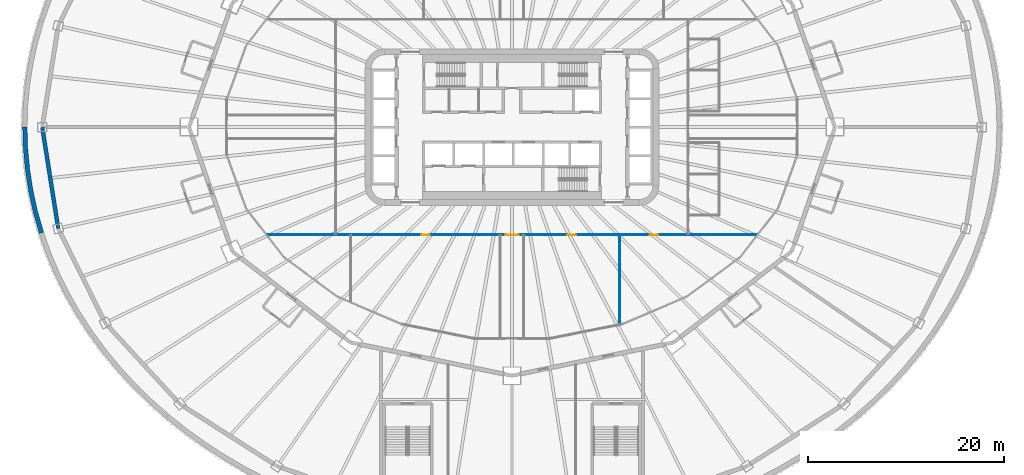
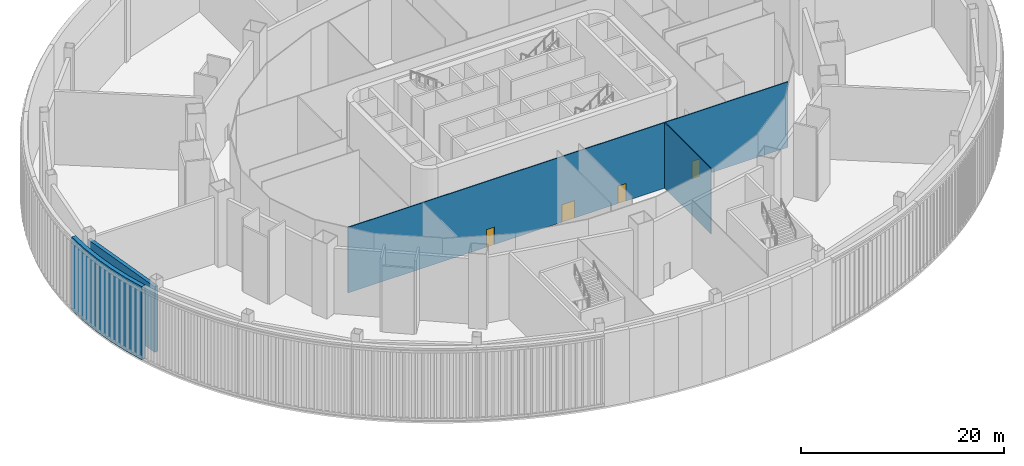
# One storey, part 7 of 35: 4 doors, 4 walls, 4 openings.
"""IFC4 building model written with IfcOpenShell, lengths in metres."""

from ifc_helpers import new_model, si_unit, direction, frame, frame_2d, origin, place, context, subcontext, project, spatial, polyline, rectangle, outline, extrude, material, layer, layer_set, type_object, element, fill, save


model = new_model("IFC4")

# Units and contexts
model_context = context("Model", 3, precision=1e-05, world=origin(), true_north=direction((0.0, 1.0)))
body_context = subcontext(model_context, "Body", "Model", "MODEL_VIEW")
ifc_project = project(units=[si_unit("LENGTHUNIT", "METRE"), si_unit("AREAUNIT", "SQUARE_METRE"), si_unit("VOLUMEUNIT", "CUBIC_METRE"), si_unit("PLANEANGLEUNIT", "RADIAN"), si_unit("MASSUNIT", "GRAM", prefix="KILO")], contexts=[model_context])

# Site, building, storey
site_placement = place(None, origin())
site = spatial("IfcSite", under=ifc_project, at=site_placement, CompositionType="ELEMENT")
building_placement = place(site_placement, origin())
building = spatial("IfcBuilding", under=site, at=building_placement, Name="Sahrelin Media Tower", CompositionType="ELEMENT")
storey_placement = place(building_placement, frame((0.0, 0.0, 17.0)))
storey = spatial("IfcBuildingStorey", under=building, at=storey_placement, Name="L02", CompositionType="ELEMENT", Elevation=17.0)

# Wall
ifc_material_1 = material(Name="Fire-rated gypsum board partition")
ifc_layer_1 = layer(ifc_material_1, 0.39990234375)
ifc_layer_set_1 = layer_set([ifc_layer_1], Name="Fire-rated partition 400")
wall_type_1 = type_object("IfcWallType", Name="Fire-rated partition 400", PredefinedType="PARTITIONING", material=ifc_layer_set_1)
wall_1_placement = place(storey_placement, frame((-48.0, 0.0, 0.0), z_axis=(0.0, 0.0, 1.0), x_axis=(0.156041518224, -0.987750497135, 0.0)))
element("IfcWall", 1, at=wall_1_placement, inside=storey, type_object=wall_type_1, Name="Wall", PredefinedType="PARTITIONING", context=body_context, shape_type="SweptSolid", body=[
    extrude(rectangle(XDim=10.481201171875, YDim=0.39990234375, at=frame_2d((5.24072265625, 0.0))), origin(), (0.0, 0.0, 1.0), 7.876953125),
])

# Wall, openings, doors
ifc_material_2 = material(Name="Gypsum board partition")
ifc_layer_2 = layer(ifc_material_2, 0.10009765625)
ifc_layer_set_2 = layer_set([ifc_layer_2], Name="Partition 100")
wall_type_2 = type_object("IfcWallType", Name="Partition 100", PredefinedType="PARTITIONING", material=ifc_layer_set_2)
wall_2_placement = place(storey_placement, frame((-24.990478515625, -11.0, 0.0), z_axis=(0.0, 0.0, 1.0), x_axis=(1.0, 0.0, 0.0)))
wall_2 = element("IfcWall", 2, at=wall_2_placement, inside=storey, type_object=wall_type_2, Name="Wall", PredefinedType="PARTITIONING", context=body_context, shape_type="SweptSolid", body=[
    extrude(rectangle(XDim=49.98095703125, YDim=0.10009765625, at=frame_2d((24.990478515625, 0.0))), origin(), (0.0, 0.0, 1.0), 7.876953125),
])
opening_1_placement = place(wall_2_placement, frame((15.699951171875, 0.0, 0.0)))
opening_1 = element("IfcOpeningElement", 3, at=opening_1_placement, cuts=wall_2, Name="Opening L02-D41", PredefinedType="OPENING", context=body_context, shape_type="SweptSolid", body=[
    extrude(rectangle(XDim=0.89990234375, YDim=2.10009765625, at=frame_2d((0.449951171875, 1.050048828125))), frame((0.0, 0.050048828125, 0.0), z_axis=(0.0, -1.0, 0.0), x_axis=(1.0, 0.0, 0.0)), (0.0, 0.0, 1.0), 0.10009765625),
])
opening_2_placement = place(wall_2_placement, frame((24.300048828125, 0.0, 0.0)))
opening_2 = element("IfcOpeningElement", 4, at=opening_2_placement, cuts=wall_2, Name="Opening L02-D42", PredefinedType="OPENING", context=body_context, shape_type="SweptSolid", body=[
    extrude(rectangle(XDim=1.39990234375, YDim=2.10009765625, at=frame_2d((0.699951171875, 1.050048828125))), frame((0.0, 0.050048828125, 0.0), z_axis=(0.0, -1.0, 0.0), x_axis=(1.0, 0.0, 0.0)), (0.0, 0.0, 1.0), 0.10009765625),
])
opening_3_placement = place(wall_2_placement, frame((30.64990234375, 0.0, 0.0)))
opening_3 = element("IfcOpeningElement", 5, at=opening_3_placement, cuts=wall_2, Name="Opening L02-D44", PredefinedType="OPENING", context=body_context, shape_type="SweptSolid", body=[
    extrude(rectangle(XDim=0.89990234375, YDim=2.10009765625, at=frame_2d((0.449951171875, 1.050048828125))), frame((0.0, 0.050048828125, 0.0), z_axis=(0.0, -1.0, 0.0), x_axis=(1.0, 0.0, 0.0)), (0.0, 0.0, 1.0), 0.10009765625),
])
opening_4_placement = place(wall_2_placement, frame((39.050048828125, 0.0, 0.0)))
opening_4 = element("IfcOpeningElement", 6, at=opening_4_placement, cuts=wall_2, Name="Opening L02-D45", PredefinedType="OPENING", context=body_context, shape_type="SweptSolid", body=[
    extrude(rectangle(XDim=0.89990234375, YDim=2.10009765625, at=frame_2d((0.449951171875, 1.050048828125))), frame((0.0, 0.050048828125, 0.0), z_axis=(0.0, -1.0, 0.0), x_axis=(1.0, 0.0, 0.0)), (0.0, 0.0, 1.0), 0.10009765625),
])
ifc_material_3 = material(Name="Timber door leaf", Category="wood")
door_type_1 = type_object("IfcDoorType", Name="Single door 1400 x 2100", OperationType="NOTDEFINED", PredefinedType="DOOR", material=ifc_material_3)
door_1_placement = place(opening_2_placement, origin())
door_1 = element("IfcDoor", 7, at=door_1_placement, inside=storey, type_object=door_type_1, Name="Single door", OperationType="SINGLE_SWING_RIGHT", OverallHeight=2.10009765625, OverallWidth=1.39990234375, PredefinedType="DOOR", context=body_context, shape_type="SweptSolid", body=[
    extrude(rectangle(XDim=1.39990234375, YDim=2.10009765625, at=frame_2d((0.699951171875, 1.050048828125))), frame((0.0, 0.02490234375, 0.0), z_axis=(0.0, -1.0, 0.0), x_axis=(1.0, 0.0, 0.0)), (0.0, 0.0, 1.0), 0.050048828125),
])
fill(opening_2, door_1)
door_type_2 = type_object("IfcDoorType", Name="Single door 900 x 2100", OperationType="NOTDEFINED", PredefinedType="DOOR", material=ifc_material_3)
door_2_placement = place(opening_1_placement, origin())
door_2 = element("IfcDoor", 8, at=door_2_placement, inside=storey, type_object=door_type_2, Name="Single door", OperationType="SINGLE_SWING_LEFT", OverallHeight=2.10009765625, OverallWidth=0.89990234375, PredefinedType="DOOR", context=body_context, shape_type="SweptSolid", body=[
    extrude(rectangle(XDim=0.89990234375, YDim=2.10009765625, at=frame_2d((0.449951171875, 1.050048828125))), frame((0.0, 0.02490234375, 0.0), z_axis=(0.0, -1.0, 0.0), x_axis=(1.0, 0.0, 0.0)), (0.0, 0.0, 1.0), 0.050048828125),
])
fill(opening_1, door_2)
door_3_placement = place(opening_3_placement, origin())
door_3 = element("IfcDoor", 9, at=door_3_placement, inside=storey, type_object=door_type_2, Name="Single door", OperationType="SINGLE_SWING_RIGHT", OverallHeight=2.10009765625, OverallWidth=0.89990234375, PredefinedType="DOOR", context=body_context, shape_type="SweptSolid", body=[
    extrude(rectangle(XDim=0.89990234375, YDim=2.10009765625, at=frame_2d((0.449951171875, 1.050048828125))), frame((0.0, 0.02490234375, 0.0), z_axis=(0.0, -1.0, 0.0), x_axis=(1.0, 0.0, 0.0)), (0.0, 0.0, 1.0), 0.050048828125),
])
fill(opening_3, door_3)
door_4_placement = place(opening_4_placement, origin())
door_4 = element("IfcDoor", 10, at=door_4_placement, inside=storey, type_object=door_type_2, Name="Single door", OperationType="SINGLE_SWING_RIGHT", OverallHeight=2.10009765625, OverallWidth=0.89990234375, PredefinedType="DOOR", context=body_context, shape_type="SweptSolid", body=[
    extrude(rectangle(XDim=0.89990234375, YDim=2.10009765625, at=frame_2d((0.449951171875, 1.050048828125))), frame((0.0, 0.02490234375, 0.0), z_axis=(0.0, -1.0, 0.0), x_axis=(1.0, 0.0, 0.0)), (0.0, 0.0, 1.0), 0.050048828125),
])
fill(opening_4, door_4)

# Walls
wall_3_placement = place(storey_placement, frame((11.0, -11.050048828125, 0.0), z_axis=(0.0, 0.0, 1.0), x_axis=(0.0, -1.0, 0.0)))
element("IfcWall", 11, at=wall_3_placement, inside=storey, type_object=wall_type_2, Name="Wall", PredefinedType="PARTITIONING", context=body_context, shape_type="SweptSolid", body=[
    extrude(rectangle(XDim=9.079345703125, YDim=0.10009765625, at=frame_2d((4.53955078125, 0.0))), origin(), (0.0, 0.0, 1.0), 7.876953125),
])
ifc_material_4 = material(Name="Concrete C40/50", Category="concrete")
ifc_layer_3 = layer(ifc_material_4, 0.449951171875)
ifc_layer_set_3 = layer_set([ifc_layer_3], Name="Studio facade wall")
wall_type_3 = type_object("IfcWallType", Name="Studio facade wall", PredefinedType="SOLIDWALL", material=ifc_layer_set_3)
wall_4_placement = place(storey_placement, origin())
element("IfcWall", 12, at=wall_4_placement, inside=storey, type_object=wall_type_3, Name="Studio facade wall L02-P12", PredefinedType="SOLIDWALL", context=body_context, shape_type="SweptSolid", body=[
    extrude(outline(polyline([(-50.0, 0.0), (-49.931396484375, -2.197998046875), (-49.72607421875, -4.39013671875), (-49.384521484375, -6.5703125), (-48.907470703125, -8.732421875), (-48.29638671875, -10.870361328125), (-47.86767578125, -10.733642578125), (-48.47119140625, -8.621826171875), (-48.942138671875, -6.48681640625), (-49.279541015625, -4.334228515625), (-49.482421875, -2.170166015625), (-49.550048828125, 0.0), (-50.0, 0.0)])), origin(), (0.0, 0.0, 1.0), 8.800048828125),
])

save(model, "model.ifc")
